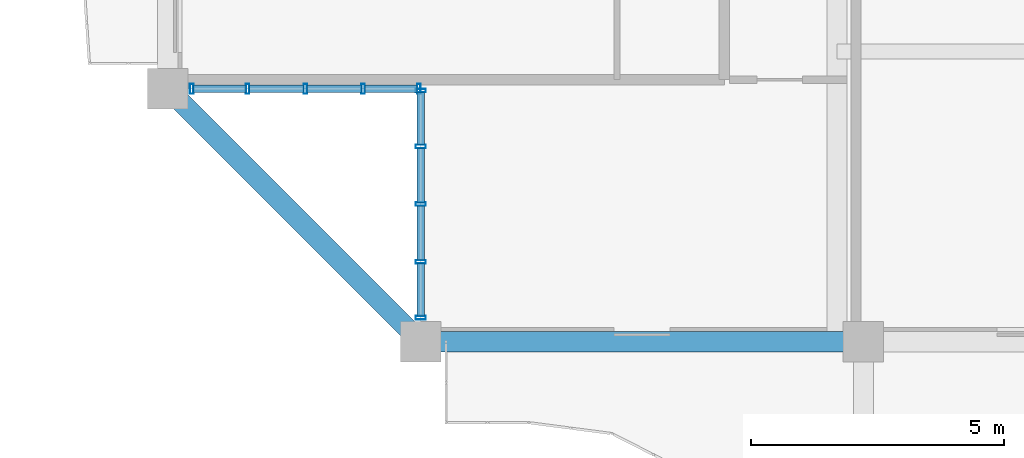
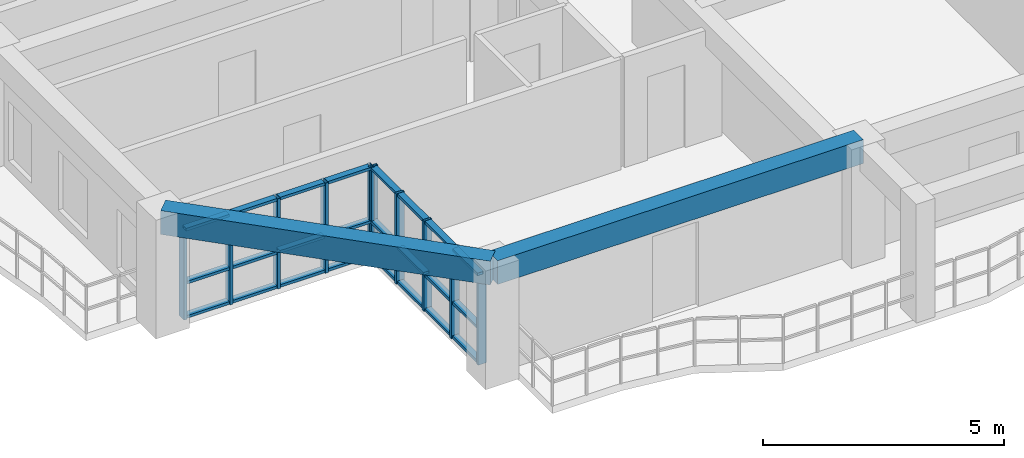
# One storey, part 2 of 21: 34 members, 2 beams, 2 elements without a shape of their own.
"""IFC4 building model written with IfcOpenShell, lengths in metres."""

from ifc_helpers import new_model, si_unit, direction, frame, origin, origin_2d, place, context, subcontext, project, spatial, rectangle, hollow_rectangle, extrude, source, transform, mapped, material, layer, layer_set, material_profile, profile_set, type_object, element, aggregate, save


model = new_model("IFC4")

# Units and contexts
model_context = context("Model", 3, precision=1e-05, world=origin(), true_north=direction((0.0, 1.0)))
body_context = subcontext(model_context, "Body", "Model", "MODEL_VIEW")
ifc_project = project(units=[si_unit("LENGTHUNIT", "METRE"), si_unit("AREAUNIT", "SQUARE_METRE"), si_unit("VOLUMEUNIT", "CUBIC_METRE"), si_unit("PLANEANGLEUNIT", "RADIAN"), si_unit("MASSUNIT", "GRAM", prefix="KILO")], contexts=[model_context])

# Site, building, storey
site_placement = place(None, origin())
site = spatial("IfcSite", under=ifc_project, at=site_placement, CompositionType="ELEMENT")
building_placement = place(site_placement, origin())
building = spatial("IfcBuilding", under=site, at=building_placement, Name="Saelheon Loggia Tower", CompositionType="ELEMENT")
storey_placement = place(building_placement, frame((0.0, 0.0, 186.699951171875)))
storey = spatial("IfcBuildingStorey", under=building, at=storey_placement, Name="L58", CompositionType="ELEMENT", Elevation=186.699951171875)

# Beams
ifc_material_1 = material(Name="Concrete C40/50", Category="concrete")
ifc_material_profile_1 = material_profile(ifc_material_1, rectangle(XDim=0.39990234375, YDim=0.60009765625, at=origin_2d()), Name="RC-400x600")
ifc_profile_set_1 = profile_set([ifc_material_profile_1], Name="Concrete C40/50")
beam_type = type_object("IfcBeamType", Name="Beam_PerimUpper_RC400x600", PredefinedType="BEAM", material=ifc_profile_set_1)
shared_shape_1 = source(origin(), body_context, "Body", "SweptSolid", [
    extrude(rectangle(XDim=0.39990234375, YDim=0.60009765625, at=origin_2d()), origin(), (0.0, 0.0, 1.0), 8.75),
])
beam_1_placement = place(storey_placement, frame((22.75, 6.0, 2.699951171875), z_axis=(1.0, 0.0, 0.0), x_axis=(0.0, 1.0, 0.0)))
element("IfcBeam", 1, at=beam_1_placement, inside=storey, type_object=beam_type, Name="L58 Perimeter Frame Girder 01", PredefinedType="BEAM", context=body_context, shape_type="MappedRepresentation", body=[
    mapped(shared_shape_1, transform((0.0, 0.0, 0.0), scale=1.0)),
])
shared_shape_2 = source(origin(), body_context, "Body", "SweptSolid", [
    extrude(rectangle(XDim=0.39990234375, YDim=0.60009765625, at=origin_2d()), origin(), (0.0, 0.0, 1.0), 7.071044921875),
])
beam_2_placement = place(storey_placement, frame((17.75, 11.0, 2.699951171875), z_axis=(0.707106781187, -0.707106781187, 0.0), x_axis=(0.707106781187, 0.707106781187, 0.0)))
element("IfcBeam", 2, at=beam_2_placement, inside=storey, type_object=beam_type, Name="L58 Perimeter Frame Girder 16", PredefinedType="BEAM", context=body_context, shape_type="MappedRepresentation", body=[
    mapped(shared_shape_2, transform((0.0, 0.0, 0.0), scale=1.0)),
])

# Curtain wall, members
ifc_material_2 = material(Name="High-Wind Aluminium and Triple Laminated Glass", Category="aluminium")
ifc_layer = layer(ifc_material_2, 0.179931640625)
ifc_layer_set = layer_set([ifc_layer], Name="High-Wind Aluminium and Triple Laminated Glass")
curtain_wall_type = type_object("IfcCurtainWallType", Name="CW_TowerLoggiaHigh", PredefinedType="NOTDEFINED", material=ifc_layer_set)
curtain_wall_1_placement = place(storey_placement, origin())
curtain_wall_1 = element("IfcCurtainWall", 3, at=curtain_wall_1_placement, inside=storey, type_object=curtain_wall_type, Name="L58 Corner Notch Glazing SW1", PredefinedType="NOTDEFINED")
ifc_material_3 = material(Name="Anodised Aluminium 6063-T6", Category="aluminium")
ifc_material_profile_2 = material_profile(ifc_material_3, hollow_rectangle(XDim=0.070068359375, YDim=0.199951171875, WallThickness=0.0048828125, at=origin_2d()), Name="RHS-200x70x5")
ifc_profile_set_2 = profile_set([ifc_material_profile_2], Name="Anodised Aluminium 6063-T6")
member_type_1 = type_object("IfcMemberType", Name="CW_TowerLoggiaHigh_Mullion", PredefinedType="MULLION", material=ifc_profile_set_2)
shared_shape_3 = source(origin(), body_context, "Body", "SweptSolid", [
    extrude(hollow_rectangle(XDim=0.070068359375, YDim=0.199951171875, WallThickness=0.0048828125, at=origin_2d()), origin(), (0.0, 0.0, 1.0), 2.280029296875),
])
member_1_placement = place(storey_placement, frame((22.75, 6.47509765625, 0.0), z_axis=(0.0, 0.0, 1.0), x_axis=(0.0, 1.0, 0.0)))
member_1 = element("IfcMember", 4, at=member_1_placement, type_object=member_type_1, Name="CW4 mullion 1", PredefinedType="MULLION", context=body_context, shape_type="MappedRepresentation", body=[
    mapped(shared_shape_3, transform((0.0, 0.0, 0.0), scale=1.0)),
])
member_2_placement = place(storey_placement, frame((22.75, 7.580078125, 0.0), z_axis=(0.0, 0.0, 1.0), x_axis=(0.0, 1.0, 0.0)))
member_2 = element("IfcMember", 5, at=member_2_placement, type_object=member_type_1, Name="CW4 mullion 2", PredefinedType="MULLION", context=body_context, shape_type="MappedRepresentation", body=[
    mapped(shared_shape_3, transform((0.0, 0.0, 0.0), scale=1.0)),
])
member_3_placement = place(storey_placement, frame((22.75, 8.719970703125, 0.0), z_axis=(0.0, 0.0, 1.0), x_axis=(0.0, 1.0, 0.0)))
member_3 = element("IfcMember", 6, at=member_3_placement, type_object=member_type_1, Name="CW4 mullion 3", PredefinedType="MULLION", context=body_context, shape_type="MappedRepresentation", body=[
    mapped(shared_shape_3, transform((0.0, 0.0, 0.0), scale=1.0)),
])
member_4_placement = place(storey_placement, frame((22.75, 9.860107421875, 0.0), z_axis=(0.0, 0.0, 1.0), x_axis=(0.0, 1.0, 0.0)))
member_4 = element("IfcMember", 7, at=member_4_placement, type_object=member_type_1, Name="CW4 mullion 4", PredefinedType="MULLION", context=body_context, shape_type="MappedRepresentation", body=[
    mapped(shared_shape_3, transform((0.0, 0.0, 0.0), scale=1.0)),
])
member_5_placement = place(storey_placement, frame((22.75, 10.965087890625, 0.0), z_axis=(0.0, 0.0, 1.0), x_axis=(0.0, 1.0, 0.0)))
member_5 = element("IfcMember", 8, at=member_5_placement, type_object=member_type_1, Name="CW4 mullion 5", PredefinedType="MULLION", context=body_context, shape_type="MappedRepresentation", body=[
    mapped(shared_shape_3, transform((0.0, 0.0, 0.0), scale=1.0)),
])

curtain_wall_2_placement = place(storey_placement, origin())
curtain_wall_2 = element("IfcCurtainWall", 9, at=curtain_wall_2_placement, inside=storey, type_object=curtain_wall_type, Name="L58 Corner Notch Glazing SW2", PredefinedType="NOTDEFINED")
member_6_placement = place(storey_placement, frame((18.22509765625, 11.0, 0.0), z_axis=(0.0, 0.0, 1.0), x_axis=(1.0, 0.0, 0.0)))
member_6 = element("IfcMember", 10, at=member_6_placement, type_object=member_type_1, Name="CW4 mullion 1", PredefinedType="MULLION", context=body_context, shape_type="MappedRepresentation", body=[
    mapped(shared_shape_3, transform((0.0, 0.0, 0.0), scale=1.0)),
])
member_7_placement = place(storey_placement, frame((19.330078125, 11.0, 0.0), z_axis=(0.0, 0.0, 1.0), x_axis=(1.0, 0.0, 0.0)))
member_7 = element("IfcMember", 11, at=member_7_placement, type_object=member_type_1, Name="CW4 mullion 2", PredefinedType="MULLION", context=body_context, shape_type="MappedRepresentation", body=[
    mapped(shared_shape_3, transform((0.0, 0.0, 0.0), scale=1.0)),
])
member_8_placement = place(storey_placement, frame((20.469970703125, 11.0, 0.0), z_axis=(0.0, 0.0, 1.0), x_axis=(1.0, 0.0, 0.0)))
member_8 = element("IfcMember", 12, at=member_8_placement, type_object=member_type_1, Name="CW4 mullion 3", PredefinedType="MULLION", context=body_context, shape_type="MappedRepresentation", body=[
    mapped(shared_shape_3, transform((0.0, 0.0, 0.0), scale=1.0)),
])
member_9_placement = place(storey_placement, frame((21.610107421875, 11.0, 0.0), z_axis=(0.0, 0.0, 1.0), x_axis=(1.0, 0.0, 0.0)))
member_9 = element("IfcMember", 13, at=member_9_placement, type_object=member_type_1, Name="CW4 mullion 4", PredefinedType="MULLION", context=body_context, shape_type="MappedRepresentation", body=[
    mapped(shared_shape_3, transform((0.0, 0.0, 0.0), scale=1.0)),
])
member_10_placement = place(storey_placement, frame((22.715087890625, 11.0, 0.0), z_axis=(0.0, 0.0, 1.0), x_axis=(1.0, 0.0, 0.0)))
member_10 = element("IfcMember", 14, at=member_10_placement, type_object=member_type_1, Name="CW4 mullion 5", PredefinedType="MULLION", context=body_context, shape_type="MappedRepresentation", body=[
    mapped(shared_shape_3, transform((0.0, 0.0, 0.0), scale=1.0)),
])

# Member
ifc_material_profile_3 = material_profile(ifc_material_3, hollow_rectangle(XDim=0.070068359375, YDim=0.14990234375, WallThickness=0.0048828125, at=origin_2d()), Name="RHS-150x70x5")
ifc_profile_set_3 = profile_set([ifc_material_profile_3], Name="Anodised Aluminium 6063-T6")
member_type_2 = type_object("IfcMemberType", Name="CW_TowerLoggiaHigh_Transom", PredefinedType="USERDEFINED", material=ifc_profile_set_3)
shared_shape_4 = source(origin(), body_context, "Body", "SweptSolid", [
    extrude(hollow_rectangle(XDim=0.070068359375, YDim=0.14990234375, WallThickness=0.0048828125, at=origin_2d()), origin(), (0.0, 0.0, 1.0), 1.034912109375),
])
member_11_placement = place(storey_placement, frame((22.75, 6.510009765625, 0.03515625), z_axis=(0.0, 1.0, 0.0), x_axis=(0.0, 0.0, 1.0)))
member_11 = element("IfcMember", 15, at=member_11_placement, type_object=member_type_2, Name="CW4 transom 1.1", ObjectType="TRANSOM", PredefinedType="USERDEFINED", context=body_context, shape_type="MappedRepresentation", body=[
    mapped(shared_shape_4, transform((0.0, 0.0, 0.0), scale=1.0)),
])

member_12_placement = place(storey_placement, frame((22.75, 6.510009765625, 0.900146484375), z_axis=(0.0, 1.0, 0.0), x_axis=(0.0, 0.0, 1.0)))
member_12 = element("IfcMember", 16, at=member_12_placement, type_object=member_type_2, Name="CW4 transom 1.2", ObjectType="TRANSOM", PredefinedType="USERDEFINED", context=body_context, shape_type="MappedRepresentation", body=[
    mapped(shared_shape_4, transform((0.0, 0.0, 0.0), scale=1.0)),
])

member_13_placement = place(storey_placement, frame((22.75, 6.510009765625, 2.2451171875), z_axis=(0.0, 1.0, 0.0), x_axis=(0.0, 0.0, 1.0)))
member_13 = element("IfcMember", 17, at=member_13_placement, type_object=member_type_2, Name="CW4 transom 1.3", ObjectType="TRANSOM", PredefinedType="USERDEFINED", context=body_context, shape_type="MappedRepresentation", body=[
    mapped(shared_shape_4, transform((0.0, 0.0, 0.0), scale=1.0)),
])

member_14_placement = place(storey_placement, frame((22.75, 9.89501953125, 0.03515625), z_axis=(0.0, 1.0, 0.0), x_axis=(0.0, 0.0, 1.0)))
member_14 = element("IfcMember", 18, at=member_14_placement, type_object=member_type_2, Name="CW4 transom 4.1", ObjectType="TRANSOM", PredefinedType="USERDEFINED", context=body_context, shape_type="MappedRepresentation", body=[
    mapped(shared_shape_4, transform((0.0, 0.0, 0.0), scale=1.0)),
])

member_15_placement = place(storey_placement, frame((22.75, 9.89501953125, 0.900146484375), z_axis=(0.0, 1.0, 0.0), x_axis=(0.0, 0.0, 1.0)))
member_15 = element("IfcMember", 19, at=member_15_placement, type_object=member_type_2, Name="CW4 transom 4.2", ObjectType="TRANSOM", PredefinedType="USERDEFINED", context=body_context, shape_type="MappedRepresentation", body=[
    mapped(shared_shape_4, transform((0.0, 0.0, 0.0), scale=1.0)),
])

member_16_placement = place(storey_placement, frame((22.75, 9.89501953125, 2.2451171875), z_axis=(0.0, 1.0, 0.0), x_axis=(0.0, 0.0, 1.0)))
member_16 = element("IfcMember", 20, at=member_16_placement, type_object=member_type_2, Name="CW4 transom 4.3", ObjectType="TRANSOM", PredefinedType="USERDEFINED", context=body_context, shape_type="MappedRepresentation", body=[
    mapped(shared_shape_4, transform((0.0, 0.0, 0.0), scale=1.0)),
])

member_17_placement = place(storey_placement, frame((18.260009765625, 11.0, 0.03515625), z_axis=(1.0, 0.0, 0.0), x_axis=(0.0, 0.0, 1.0)))
member_17 = element("IfcMember", 21, at=member_17_placement, type_object=member_type_2, Name="CW4 transom 1.1", ObjectType="TRANSOM", PredefinedType="USERDEFINED", context=body_context, shape_type="MappedRepresentation", body=[
    mapped(shared_shape_4, transform((0.0, 0.0, 0.0), scale=1.0)),
])

member_18_placement = place(storey_placement, frame((18.260009765625, 11.0, 0.900146484375), z_axis=(1.0, 0.0, 0.0), x_axis=(0.0, 0.0, 1.0)))
member_18 = element("IfcMember", 22, at=member_18_placement, type_object=member_type_2, Name="CW4 transom 1.2", ObjectType="TRANSOM", PredefinedType="USERDEFINED", context=body_context, shape_type="MappedRepresentation", body=[
    mapped(shared_shape_4, transform((0.0, 0.0, 0.0), scale=1.0)),
])

member_19_placement = place(storey_placement, frame((18.260009765625, 11.0, 2.2451171875), z_axis=(1.0, 0.0, 0.0), x_axis=(0.0, 0.0, 1.0)))
member_19 = element("IfcMember", 23, at=member_19_placement, type_object=member_type_2, Name="CW4 transom 1.3", ObjectType="TRANSOM", PredefinedType="USERDEFINED", context=body_context, shape_type="MappedRepresentation", body=[
    mapped(shared_shape_4, transform((0.0, 0.0, 0.0), scale=1.0)),
])

member_20_placement = place(storey_placement, frame((21.64501953125, 11.0, 0.03515625), z_axis=(1.0, 0.0, 0.0), x_axis=(0.0, 0.0, 1.0)))
member_20 = element("IfcMember", 24, at=member_20_placement, type_object=member_type_2, Name="CW4 transom 4.1", ObjectType="TRANSOM", PredefinedType="USERDEFINED", context=body_context, shape_type="MappedRepresentation", body=[
    mapped(shared_shape_4, transform((0.0, 0.0, 0.0), scale=1.0)),
])

member_21_placement = place(storey_placement, frame((21.64501953125, 11.0, 0.900146484375), z_axis=(1.0, 0.0, 0.0), x_axis=(0.0, 0.0, 1.0)))
member_21 = element("IfcMember", 25, at=member_21_placement, type_object=member_type_2, Name="CW4 transom 4.2", ObjectType="TRANSOM", PredefinedType="USERDEFINED", context=body_context, shape_type="MappedRepresentation", body=[
    mapped(shared_shape_4, transform((0.0, 0.0, 0.0), scale=1.0)),
])

member_22_placement = place(storey_placement, frame((21.64501953125, 11.0, 2.2451171875), z_axis=(1.0, 0.0, 0.0), x_axis=(0.0, 0.0, 1.0)))
member_22 = element("IfcMember", 26, at=member_22_placement, type_object=member_type_2, Name="CW4 transom 4.3", ObjectType="TRANSOM", PredefinedType="USERDEFINED", context=body_context, shape_type="MappedRepresentation", body=[
    mapped(shared_shape_4, transform((0.0, 0.0, 0.0), scale=1.0)),
])

shared_shape_5 = source(origin(), body_context, "Body", "SweptSolid", [
    extrude(hollow_rectangle(XDim=0.070068359375, YDim=0.14990234375, WallThickness=0.0048828125, at=origin_2d()), origin(), (0.0, 0.0, 1.0), 1.070068359375),
])
member_23_placement = place(storey_placement, frame((22.75, 7.614990234375, 0.03515625), z_axis=(0.0, 1.0, 0.0), x_axis=(0.0, 0.0, 1.0)))
member_23 = element("IfcMember", 27, at=member_23_placement, type_object=member_type_2, Name="CW4 transom 2.1", ObjectType="TRANSOM", PredefinedType="USERDEFINED", context=body_context, shape_type="MappedRepresentation", body=[
    mapped(shared_shape_5, transform((0.0, 0.0, 0.0), scale=1.0)),
])

member_24_placement = place(storey_placement, frame((22.75, 7.614990234375, 0.900146484375), z_axis=(0.0, 1.0, 0.0), x_axis=(0.0, 0.0, 1.0)))
member_24 = element("IfcMember", 28, at=member_24_placement, type_object=member_type_2, Name="CW4 transom 2.2", ObjectType="TRANSOM", PredefinedType="USERDEFINED", context=body_context, shape_type="MappedRepresentation", body=[
    mapped(shared_shape_5, transform((0.0, 0.0, 0.0), scale=1.0)),
])

member_25_placement = place(storey_placement, frame((22.75, 7.614990234375, 2.2451171875), z_axis=(0.0, 1.0, 0.0), x_axis=(0.0, 0.0, 1.0)))
member_25 = element("IfcMember", 29, at=member_25_placement, type_object=member_type_2, Name="CW4 transom 2.3", ObjectType="TRANSOM", PredefinedType="USERDEFINED", context=body_context, shape_type="MappedRepresentation", body=[
    mapped(shared_shape_5, transform((0.0, 0.0, 0.0), scale=1.0)),
])

member_26_placement = place(storey_placement, frame((22.75, 8.7548828125, 0.03515625), z_axis=(0.0, 1.0, 0.0), x_axis=(0.0, 0.0, 1.0)))
member_26 = element("IfcMember", 30, at=member_26_placement, type_object=member_type_2, Name="CW4 transom 3.1", ObjectType="TRANSOM", PredefinedType="USERDEFINED", context=body_context, shape_type="MappedRepresentation", body=[
    mapped(shared_shape_5, transform((0.0, 0.0, 0.0), scale=1.0)),
])

member_27_placement = place(storey_placement, frame((22.75, 8.7548828125, 0.900146484375), z_axis=(0.0, 1.0, 0.0), x_axis=(0.0, 0.0, 1.0)))
member_27 = element("IfcMember", 31, at=member_27_placement, type_object=member_type_2, Name="CW4 transom 3.2", ObjectType="TRANSOM", PredefinedType="USERDEFINED", context=body_context, shape_type="MappedRepresentation", body=[
    mapped(shared_shape_5, transform((0.0, 0.0, 0.0), scale=1.0)),
])

member_28_placement = place(storey_placement, frame((22.75, 8.7548828125, 2.2451171875), z_axis=(0.0, 1.0, 0.0), x_axis=(0.0, 0.0, 1.0)))
member_28 = element("IfcMember", 32, at=member_28_placement, type_object=member_type_2, Name="CW4 transom 3.3", ObjectType="TRANSOM", PredefinedType="USERDEFINED", context=body_context, shape_type="MappedRepresentation", body=[
    mapped(shared_shape_5, transform((0.0, 0.0, 0.0), scale=1.0)),
])

aggregate(curtain_wall_1, [member_1, member_2, member_3, member_4, member_5, member_11, member_12, member_13, member_23, member_24, member_25, member_26, member_27, member_28, member_14, member_15, member_16])

member_29_placement = place(storey_placement, frame((19.364990234375, 11.0, 0.03515625), z_axis=(1.0, 0.0, 0.0), x_axis=(0.0, 0.0, 1.0)))
member_29 = element("IfcMember", 33, at=member_29_placement, type_object=member_type_2, Name="CW4 transom 2.1", ObjectType="TRANSOM", PredefinedType="USERDEFINED", context=body_context, shape_type="MappedRepresentation", body=[
    mapped(shared_shape_5, transform((0.0, 0.0, 0.0), scale=1.0)),
])

member_30_placement = place(storey_placement, frame((19.364990234375, 11.0, 0.900146484375), z_axis=(1.0, 0.0, 0.0), x_axis=(0.0, 0.0, 1.0)))
member_30 = element("IfcMember", 34, at=member_30_placement, type_object=member_type_2, Name="CW4 transom 2.2", ObjectType="TRANSOM", PredefinedType="USERDEFINED", context=body_context, shape_type="MappedRepresentation", body=[
    mapped(shared_shape_5, transform((0.0, 0.0, 0.0), scale=1.0)),
])

member_31_placement = place(storey_placement, frame((19.364990234375, 11.0, 2.2451171875), z_axis=(1.0, 0.0, 0.0), x_axis=(0.0, 0.0, 1.0)))
member_31 = element("IfcMember", 35, at=member_31_placement, type_object=member_type_2, Name="CW4 transom 2.3", ObjectType="TRANSOM", PredefinedType="USERDEFINED", context=body_context, shape_type="MappedRepresentation", body=[
    mapped(shared_shape_5, transform((0.0, 0.0, 0.0), scale=1.0)),
])

member_32_placement = place(storey_placement, frame((20.5048828125, 11.0, 0.03515625), z_axis=(1.0, 0.0, 0.0), x_axis=(0.0, 0.0, 1.0)))
member_32 = element("IfcMember", 36, at=member_32_placement, type_object=member_type_2, Name="CW4 transom 3.1", ObjectType="TRANSOM", PredefinedType="USERDEFINED", context=body_context, shape_type="MappedRepresentation", body=[
    mapped(shared_shape_5, transform((0.0, 0.0, 0.0), scale=1.0)),
])

member_33_placement = place(storey_placement, frame((20.5048828125, 11.0, 0.900146484375), z_axis=(1.0, 0.0, 0.0), x_axis=(0.0, 0.0, 1.0)))
member_33 = element("IfcMember", 37, at=member_33_placement, type_object=member_type_2, Name="CW4 transom 3.2", ObjectType="TRANSOM", PredefinedType="USERDEFINED", context=body_context, shape_type="MappedRepresentation", body=[
    mapped(shared_shape_5, transform((0.0, 0.0, 0.0), scale=1.0)),
])

member_34_placement = place(storey_placement, frame((20.5048828125, 11.0, 2.2451171875), z_axis=(1.0, 0.0, 0.0), x_axis=(0.0, 0.0, 1.0)))
member_34 = element("IfcMember", 38, at=member_34_placement, type_object=member_type_2, Name="CW4 transom 3.3", ObjectType="TRANSOM", PredefinedType="USERDEFINED", context=body_context, shape_type="MappedRepresentation", body=[
    mapped(shared_shape_5, transform((0.0, 0.0, 0.0), scale=1.0)),
])

aggregate(curtain_wall_2, [member_6, member_7, member_8, member_9, member_10, member_17, member_18, member_19, member_29, member_30, member_31, member_32, member_33, member_34, member_20, member_21, member_22])

save(model, "model.ifc")
